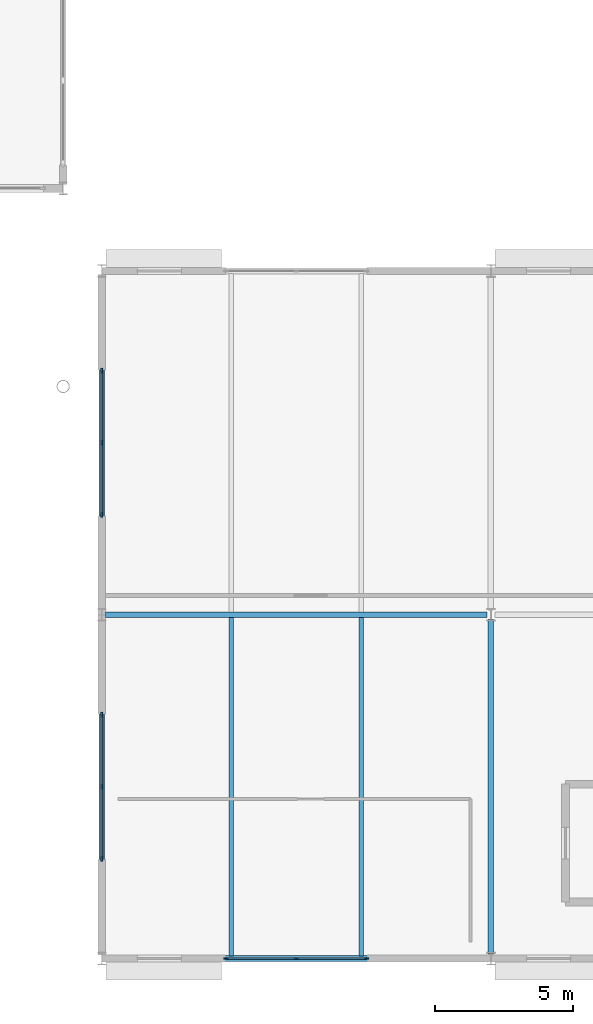
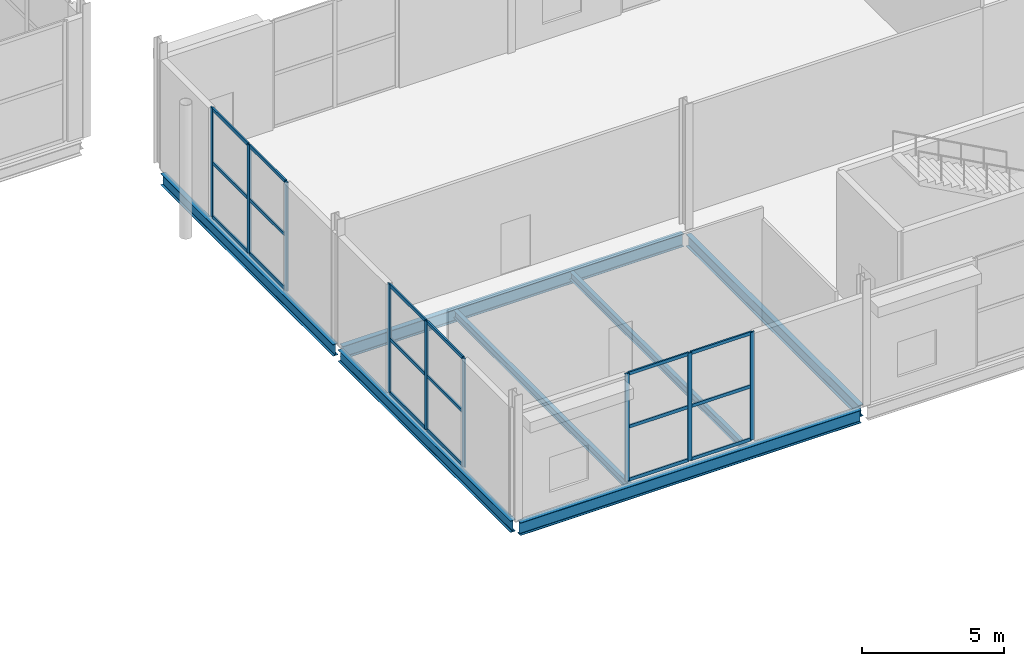
# One storey, part 37 of 84: 27 members, 7 beams, 3 elements without a shape of their own.
"""IFC4 building model written with IfcOpenShell, lengths in metres."""

from ifc_helpers import new_model, si_unit, direction, frame, origin, origin_2d, place, context, subcontext, project, spatial, rectangle, i_section, extrude, material, material_profile, profile_set, type_object, element, aggregate, save


model = new_model("IFC4")

# Units and contexts
model_context = context("Model", 3, precision=1e-05, world=origin(), true_north=direction((0.0, 1.0)))
body_context = subcontext(model_context, "Body", "Model", "MODEL_VIEW")
ifc_project = project(units=[si_unit("LENGTHUNIT", "METRE"), si_unit("AREAUNIT", "SQUARE_METRE"), si_unit("VOLUMEUNIT", "CUBIC_METRE"), si_unit("PLANEANGLEUNIT", "RADIAN"), si_unit("MASSUNIT", "GRAM", prefix="KILO")], contexts=[model_context])

# Site, building, storey
site_placement = place(None, origin())
site = spatial("IfcSite", under=ifc_project, at=site_placement, CompositionType="ELEMENT")
building_placement = place(site_placement, origin())
building = spatial("IfcBuilding", under=site, at=building_placement, Name="Kimbaza Rail Terminus", CompositionType="ELEMENT")
storey_placement = place(building_placement, frame((0.0, 0.0, 5.39990234375)))
storey = spatial("IfcBuildingStorey", under=building, at=storey_placement, Name="L01", CompositionType="ELEMENT", Elevation=5.39990234375)

# Curtain wall, members
ifc_material_1 = material(Name="Anodised aluminium framing and solar low-E glazing", Category="aluminium")
curtain_wall_type = type_object("IfcCurtainWallType", Name="ARC-CW-PV1", PredefinedType="USERDEFINED", material=ifc_material_1)
curtain_wall_1_placement = place(storey_placement, origin())
curtain_wall_1 = element("IfcCurtainWall", 1, at=curtain_wall_1_placement, inside=storey, type_object=curtain_wall_type, Name="Pavilion S Curtain Wall L01.1", ObjectType="STICK CURTAIN WALL", PredefinedType="USERDEFINED")
ifc_material_2 = material(Name="Anodised architectural aluminium", Category="aluminium")
ifc_material_profile_1 = material_profile(ifc_material_2, rectangle(XDim=0.06494140625, YDim=0.175048828125, at=origin_2d()), Name="MULLION 65x175")
ifc_profile_set_1 = profile_set([ifc_material_profile_1], Name="Anodised architectural aluminium")
member_type_1 = type_object("IfcMemberType", Name="ARC-CWM-04", PredefinedType="MULLION", material=ifc_profile_set_1)
member_1_placement = place(storey_placement, frame((161.9326171875, 13.0, 0.0), z_axis=(0.0, 0.0, 1.0), x_axis=(0.0, 1.0, 0.0)))
member_1 = element("IfcMember", 2, at=member_1_placement, type_object=member_type_1, Name="CW-04 mullion 1", PredefinedType="MULLION", context=body_context, shape_type="SweptSolid", body=[
    extrude(rectangle(XDim=0.06494140625, YDim=0.175048828125, at=origin_2d()), origin(), (0.0, 0.0, 1.0), 4.625),
])
member_2_placement = place(storey_placement, frame((164.47509765625, 13.0, 0.0), z_axis=(0.0, 0.0, 1.0), x_axis=(0.0, 1.0, 0.0)))
member_2 = element("IfcMember", 3, at=member_2_placement, type_object=member_type_1, Name="CW-04 mullion 2", PredefinedType="MULLION", context=body_context, shape_type="SweptSolid", body=[
    extrude(rectangle(XDim=0.06494140625, YDim=0.175048828125, at=origin_2d()), origin(), (0.0, 0.0, 1.0), 4.625),
])
member_3_placement = place(storey_placement, frame((167.017578125, 13.0, 0.0), z_axis=(0.0, 0.0, 1.0), x_axis=(0.0, 1.0, 0.0)))
member_3 = element("IfcMember", 4, at=member_3_placement, type_object=member_type_1, Name="CW-04 mullion 3", PredefinedType="MULLION", context=body_context, shape_type="SweptSolid", body=[
    extrude(rectangle(XDim=0.06494140625, YDim=0.175048828125, at=origin_2d()), origin(), (0.0, 0.0, 1.0), 4.625),
])

curtain_wall_2_placement = place(storey_placement, origin())
curtain_wall_2 = element("IfcCurtainWall", 5, at=curtain_wall_2_placement, inside=storey, type_object=curtain_wall_type, Name="Pavilion W Curtain Wall L01.1", ObjectType="STICK CURTAIN WALL", PredefinedType="USERDEFINED")
member_4_placement = place(storey_placement, frame((157.39990234375, 16.632568359375, 0.0), z_axis=(0.0, 0.0, 1.0), x_axis=(-1.0, 0.0, 0.0)))
member_4 = element("IfcMember", 6, at=member_4_placement, type_object=member_type_1, Name="CW-04 mullion 1", PredefinedType="MULLION", context=body_context, shape_type="SweptSolid", body=[
    extrude(rectangle(XDim=0.06494140625, YDim=0.175048828125, at=origin_2d()), origin(), (0.0, 0.0, 1.0), 4.675048828125),
])
member_5_placement = place(storey_placement, frame((157.39990234375, 19.25, 0.0), z_axis=(0.0, 0.0, 1.0), x_axis=(-1.0, 0.0, 0.0)))
member_5 = element("IfcMember", 7, at=member_5_placement, type_object=member_type_1, Name="CW-04 mullion 2", PredefinedType="MULLION", context=body_context, shape_type="SweptSolid", body=[
    extrude(rectangle(XDim=0.06494140625, YDim=0.175048828125, at=origin_2d()), origin(), (0.0, 0.0, 1.0), 4.675048828125),
])
member_6_placement = place(storey_placement, frame((157.39990234375, 21.867431640625, 0.0), z_axis=(0.0, 0.0, 1.0), x_axis=(-1.0, 0.0, 0.0)))
member_6 = element("IfcMember", 8, at=member_6_placement, type_object=member_type_1, Name="CW-04 mullion 3", PredefinedType="MULLION", context=body_context, shape_type="SweptSolid", body=[
    extrude(rectangle(XDim=0.06494140625, YDim=0.175048828125, at=origin_2d()), origin(), (0.0, 0.0, 1.0), 4.675048828125),
])

curtain_wall_3_placement = place(storey_placement, origin())
curtain_wall_3 = element("IfcCurtainWall", 9, at=curtain_wall_3_placement, inside=storey, type_object=curtain_wall_type, Name="Pavilion W Curtain Wall L01.2", ObjectType="STICK CURTAIN WALL", PredefinedType="USERDEFINED")
member_7_placement = place(storey_placement, frame((157.39990234375, 29.132568359375, 0.0), z_axis=(0.0, 0.0, 1.0), x_axis=(-1.0, 0.0, 0.0)))
member_7 = element("IfcMember", 10, at=member_7_placement, type_object=member_type_1, Name="CW-04 mullion 1", PredefinedType="MULLION", context=body_context, shape_type="SweptSolid", body=[
    extrude(rectangle(XDim=0.06494140625, YDim=0.175048828125, at=origin_2d()), origin(), (0.0, 0.0, 1.0), 4.675048828125),
])
member_8_placement = place(storey_placement, frame((157.39990234375, 31.75, 0.0), z_axis=(0.0, 0.0, 1.0), x_axis=(-1.0, 0.0, 0.0)))
member_8 = element("IfcMember", 11, at=member_8_placement, type_object=member_type_1, Name="CW-04 mullion 2", PredefinedType="MULLION", context=body_context, shape_type="SweptSolid", body=[
    extrude(rectangle(XDim=0.06494140625, YDim=0.175048828125, at=origin_2d()), origin(), (0.0, 0.0, 1.0), 4.675048828125),
])
member_9_placement = place(storey_placement, frame((157.39990234375, 34.367431640625, 0.0), z_axis=(0.0, 0.0, 1.0), x_axis=(-1.0, 0.0, 0.0)))
member_9 = element("IfcMember", 12, at=member_9_placement, type_object=member_type_1, Name="CW-04 mullion 3", PredefinedType="MULLION", context=body_context, shape_type="SweptSolid", body=[
    extrude(rectangle(XDim=0.06494140625, YDim=0.175048828125, at=origin_2d()), origin(), (0.0, 0.0, 1.0), 4.675048828125),
])

# Member
ifc_material_3 = material(Name="Anodised architectural aluminium", Category="aluminium")
ifc_material_profile_2 = material_profile(ifc_material_3, rectangle(XDim=0.06494140625, YDim=0.139892578125, at=origin_2d()), Name="TRANSOM 65x140")
ifc_profile_set_2 = profile_set([ifc_material_profile_2], Name="Anodised architectural aluminium")
member_type_2 = type_object("IfcMemberType", Name="ARC-CWT-04", PredefinedType="USERDEFINED", material=ifc_profile_set_2)
member_10_placement = place(storey_placement, frame((161.965087890625, 13.0, 0.03271484375), z_axis=(1.0, 0.0, 0.0), x_axis=(0.0, 1.0, 0.0)))
member_10 = element("IfcMember", 13, at=member_10_placement, type_object=member_type_2, Name="CW-04 transom 1.1", ObjectType="TRANSOM", PredefinedType="USERDEFINED", context=body_context, shape_type="SweptSolid", body=[
    extrude(rectangle(XDim=0.06494140625, YDim=0.139892578125, at=origin_2d()), origin(), (0.0, 0.0, 1.0), 2.477294921875),
])

member_11_placement = place(storey_placement, frame((161.965087890625, 13.0, 2.3125), z_axis=(1.0, 0.0, 0.0), x_axis=(0.0, 1.0, 0.0)))
member_11 = element("IfcMember", 14, at=member_11_placement, type_object=member_type_2, Name="CW-04 transom 1.2", ObjectType="TRANSOM", PredefinedType="USERDEFINED", context=body_context, shape_type="SweptSolid", body=[
    extrude(rectangle(XDim=0.06494140625, YDim=0.139892578125, at=origin_2d()), origin(), (0.0, 0.0, 1.0), 2.477294921875),
])

member_12_placement = place(storey_placement, frame((161.965087890625, 13.0, 4.592529296875), z_axis=(1.0, 0.0, 0.0), x_axis=(0.0, 1.0, 0.0)))
member_12 = element("IfcMember", 15, at=member_12_placement, type_object=member_type_2, Name="CW-04 transom 1.3", ObjectType="TRANSOM", PredefinedType="USERDEFINED", context=body_context, shape_type="SweptSolid", body=[
    extrude(rectangle(XDim=0.06494140625, YDim=0.139892578125, at=origin_2d()), origin(), (0.0, 0.0, 1.0), 2.477294921875),
])

member_13_placement = place(storey_placement, frame((164.507568359375, 13.0, 0.03271484375), z_axis=(1.0, 0.0, 0.0), x_axis=(0.0, 1.0, 0.0)))
member_13 = element("IfcMember", 16, at=member_13_placement, type_object=member_type_2, Name="CW-04 transom 2.1", ObjectType="TRANSOM", PredefinedType="USERDEFINED", context=body_context, shape_type="SweptSolid", body=[
    extrude(rectangle(XDim=0.06494140625, YDim=0.139892578125, at=origin_2d()), origin(), (0.0, 0.0, 1.0), 2.4775390625),
])

member_14_placement = place(storey_placement, frame((164.507568359375, 13.0, 2.3125), z_axis=(1.0, 0.0, 0.0), x_axis=(0.0, 1.0, 0.0)))
member_14 = element("IfcMember", 17, at=member_14_placement, type_object=member_type_2, Name="CW-04 transom 2.2", ObjectType="TRANSOM", PredefinedType="USERDEFINED", context=body_context, shape_type="SweptSolid", body=[
    extrude(rectangle(XDim=0.06494140625, YDim=0.139892578125, at=origin_2d()), origin(), (0.0, 0.0, 1.0), 2.4775390625),
])

member_15_placement = place(storey_placement, frame((164.507568359375, 13.0, 4.592529296875), z_axis=(1.0, 0.0, 0.0), x_axis=(0.0, 1.0, 0.0)))
member_15 = element("IfcMember", 18, at=member_15_placement, type_object=member_type_2, Name="CW-04 transom 2.3", ObjectType="TRANSOM", PredefinedType="USERDEFINED", context=body_context, shape_type="SweptSolid", body=[
    extrude(rectangle(XDim=0.06494140625, YDim=0.139892578125, at=origin_2d()), origin(), (0.0, 0.0, 1.0), 2.4775390625),
])

aggregate(curtain_wall_1, [member_1, member_2, member_3, member_10, member_11, member_12, member_13, member_14, member_15])

member_16_placement = place(storey_placement, frame((157.39990234375, 16.6650390625, 0.03271484375), z_axis=(0.0, 1.0, 0.0), x_axis=(-1.0, 0.0, 0.0)))
member_16 = element("IfcMember", 19, at=member_16_placement, type_object=member_type_2, Name="CW-04 transom 1.1", ObjectType="TRANSOM", PredefinedType="USERDEFINED", context=body_context, shape_type="SweptSolid", body=[
    extrude(rectangle(XDim=0.06494140625, YDim=0.139892578125, at=origin_2d()), origin(), (0.0, 0.0, 1.0), 2.552490234375),
])

member_17_placement = place(storey_placement, frame((157.39990234375, 16.6650390625, 2.337646484375), z_axis=(0.0, 1.0, 0.0), x_axis=(-1.0, 0.0, 0.0)))
member_17 = element("IfcMember", 20, at=member_17_placement, type_object=member_type_2, Name="CW-04 transom 1.2", ObjectType="TRANSOM", PredefinedType="USERDEFINED", context=body_context, shape_type="SweptSolid", body=[
    extrude(rectangle(XDim=0.06494140625, YDim=0.139892578125, at=origin_2d()), origin(), (0.0, 0.0, 1.0), 2.552490234375),
])

member_18_placement = place(storey_placement, frame((157.39990234375, 16.6650390625, 4.642578125), z_axis=(0.0, 1.0, 0.0), x_axis=(-1.0, 0.0, 0.0)))
member_18 = element("IfcMember", 21, at=member_18_placement, type_object=member_type_2, Name="CW-04 transom 1.3", ObjectType="TRANSOM", PredefinedType="USERDEFINED", context=body_context, shape_type="SweptSolid", body=[
    extrude(rectangle(XDim=0.06494140625, YDim=0.139892578125, at=origin_2d()), origin(), (0.0, 0.0, 1.0), 2.552490234375),
])

member_19_placement = place(storey_placement, frame((157.39990234375, 19.282470703125, 0.03271484375), z_axis=(0.0, 1.0, 0.0), x_axis=(-1.0, 0.0, 0.0)))
member_19 = element("IfcMember", 22, at=member_19_placement, type_object=member_type_2, Name="CW-04 transom 2.1", ObjectType="TRANSOM", PredefinedType="USERDEFINED", context=body_context, shape_type="SweptSolid", body=[
    extrude(rectangle(XDim=0.06494140625, YDim=0.139892578125, at=origin_2d()), origin(), (0.0, 0.0, 1.0), 2.552490234375),
])

member_20_placement = place(storey_placement, frame((157.39990234375, 19.282470703125, 2.337646484375), z_axis=(0.0, 1.0, 0.0), x_axis=(-1.0, 0.0, 0.0)))
member_20 = element("IfcMember", 23, at=member_20_placement, type_object=member_type_2, Name="CW-04 transom 2.2", ObjectType="TRANSOM", PredefinedType="USERDEFINED", context=body_context, shape_type="SweptSolid", body=[
    extrude(rectangle(XDim=0.06494140625, YDim=0.139892578125, at=origin_2d()), origin(), (0.0, 0.0, 1.0), 2.552490234375),
])

member_21_placement = place(storey_placement, frame((157.39990234375, 19.282470703125, 4.642578125), z_axis=(0.0, 1.0, 0.0), x_axis=(-1.0, 0.0, 0.0)))
member_21 = element("IfcMember", 24, at=member_21_placement, type_object=member_type_2, Name="CW-04 transom 2.3", ObjectType="TRANSOM", PredefinedType="USERDEFINED", context=body_context, shape_type="SweptSolid", body=[
    extrude(rectangle(XDim=0.06494140625, YDim=0.139892578125, at=origin_2d()), origin(), (0.0, 0.0, 1.0), 2.552490234375),
])

aggregate(curtain_wall_2, [member_4, member_5, member_6, member_16, member_17, member_18, member_19, member_20, member_21])

member_22_placement = place(storey_placement, frame((157.39990234375, 29.1650390625, 0.03271484375), z_axis=(0.0, 1.0, 0.0), x_axis=(-1.0, 0.0, 0.0)))
member_22 = element("IfcMember", 25, at=member_22_placement, type_object=member_type_2, Name="CW-04 transom 1.1", ObjectType="TRANSOM", PredefinedType="USERDEFINED", context=body_context, shape_type="SweptSolid", body=[
    extrude(rectangle(XDim=0.06494140625, YDim=0.139892578125, at=origin_2d()), origin(), (0.0, 0.0, 1.0), 2.552490234375),
])

member_23_placement = place(storey_placement, frame((157.39990234375, 29.1650390625, 2.337646484375), z_axis=(0.0, 1.0, 0.0), x_axis=(-1.0, 0.0, 0.0)))
member_23 = element("IfcMember", 26, at=member_23_placement, type_object=member_type_2, Name="CW-04 transom 1.2", ObjectType="TRANSOM", PredefinedType="USERDEFINED", context=body_context, shape_type="SweptSolid", body=[
    extrude(rectangle(XDim=0.06494140625, YDim=0.139892578125, at=origin_2d()), origin(), (0.0, 0.0, 1.0), 2.552490234375),
])

member_24_placement = place(storey_placement, frame((157.39990234375, 29.1650390625, 4.642578125), z_axis=(0.0, 1.0, 0.0), x_axis=(-1.0, 0.0, 0.0)))
member_24 = element("IfcMember", 27, at=member_24_placement, type_object=member_type_2, Name="CW-04 transom 1.3", ObjectType="TRANSOM", PredefinedType="USERDEFINED", context=body_context, shape_type="SweptSolid", body=[
    extrude(rectangle(XDim=0.06494140625, YDim=0.139892578125, at=origin_2d()), origin(), (0.0, 0.0, 1.0), 2.552490234375),
])

member_25_placement = place(storey_placement, frame((157.39990234375, 31.782470703125, 0.03271484375), z_axis=(0.0, 1.0, 0.0), x_axis=(-1.0, 0.0, 0.0)))
member_25 = element("IfcMember", 28, at=member_25_placement, type_object=member_type_2, Name="CW-04 transom 2.1", ObjectType="TRANSOM", PredefinedType="USERDEFINED", context=body_context, shape_type="SweptSolid", body=[
    extrude(rectangle(XDim=0.06494140625, YDim=0.139892578125, at=origin_2d()), origin(), (0.0, 0.0, 1.0), 2.552490234375),
])

member_26_placement = place(storey_placement, frame((157.39990234375, 31.782470703125, 2.337646484375), z_axis=(0.0, 1.0, 0.0), x_axis=(-1.0, 0.0, 0.0)))
member_26 = element("IfcMember", 29, at=member_26_placement, type_object=member_type_2, Name="CW-04 transom 2.2", ObjectType="TRANSOM", PredefinedType="USERDEFINED", context=body_context, shape_type="SweptSolid", body=[
    extrude(rectangle(XDim=0.06494140625, YDim=0.139892578125, at=origin_2d()), origin(), (0.0, 0.0, 1.0), 2.552490234375),
])

member_27_placement = place(storey_placement, frame((157.39990234375, 31.782470703125, 4.642578125), z_axis=(0.0, 1.0, 0.0), x_axis=(-1.0, 0.0, 0.0)))
member_27 = element("IfcMember", 30, at=member_27_placement, type_object=member_type_2, Name="CW-04 transom 2.3", ObjectType="TRANSOM", PredefinedType="USERDEFINED", context=body_context, shape_type="SweptSolid", body=[
    extrude(rectangle(XDim=0.06494140625, YDim=0.139892578125, at=origin_2d()), origin(), (0.0, 0.0, 1.0), 2.552490234375),
])

aggregate(curtain_wall_3, [member_7, member_8, member_9, member_22, member_23, member_24, member_25, member_26, member_27])

# Beams
ifc_material_4 = material(Name="Steel S355", Category="steel")
ifc_material_profile_3 = material_profile(ifc_material_4, i_section(OverallWidth=0.159912109375, OverallDepth=0.330078125, WebThickness=0.007568359375, FlangeThickness=0.011474609375, FilletRadius=0.01806640625, at=origin_2d()), Name="IPE 330")
ifc_profile_set_3 = profile_set([ifc_material_profile_3], Name="Steel S355")
beam_type_1 = type_object("IfcBeamType", Name="STR-BM-IPE330", PredefinedType="JOIST", material=ifc_profile_set_3)
for number, where, z_axis, x_axis, name in (
    (31, (162.11669921875, 13.10009765625, -0.385009765625), (0.0, 1.0, 0.0), (-1.0, 0.0, 0.0), "Beam JST-V4-L01-0-1-0"),
    (32, (166.833251953125, 13.10009765625, -0.385009765625), (0.0, 1.0, 0.0), (-1.0, 0.0, 0.0), "Beam JST-V4-L01-0-2-0"),
):
    element("IfcBeam", number, at=place(storey_placement, frame(where, z_axis=z_axis, x_axis=x_axis)), inside=storey, type_object=beam_type_1, Name=name, PredefinedType="JOIST", context=body_context, shape_type="SweptSolid", body=[
        extrude(i_section(OverallWidth=0.159912109375, OverallDepth=0.330078125, WebThickness=0.007568359375, FlangeThickness=0.011474609375, FilletRadius=0.01806640625, at=origin_2d()), origin(), (0.0, 0.0, 1.0), 12.2998046875),
    ])
ifc_material_5 = material(Name="Steel S355", Category="steel")
ifc_material_profile_4 = material_profile(ifc_material_5, i_section(OverallWidth=0.199951171875, OverallDepth=0.5, WebThickness=0.01025390625, FlangeThickness=0.01611328125, FilletRadius=0.02099609375, at=origin_2d()), Name="IPE 500")
ifc_profile_set_4 = profile_set([ifc_material_profile_4], Name="Steel S355")
beam_type_2 = type_object("IfcBeamType", Name="STR-BM-IPE500", PredefinedType="BEAM", material=ifc_profile_set_4)
for number, where, z_axis, x_axis, name in (
    (33, (157.39990234375, 13.175048828125, -0.469970703125), (0.0, 1.0, 0.0), (-1.0, 0.0, 0.0), "Beam BM-V4Y-L01-0-0"),
    (34, (157.39990234375, 25.675048828125, -0.469970703125), (0.0, 1.0, 0.0), (-1.0, 0.0, 0.0), "Beam BM-V4Y-L01-0-1"),
    (35, (171.550048828125, 13.175048828125, -0.469970703125), (0.0, 1.0, 0.0), (-1.0, 0.0, 0.0), "Beam BM-V4Y-L01-1-0"),
):
    element("IfcBeam", number, at=place(storey_placement, frame(where, z_axis=z_axis, x_axis=x_axis)), inside=storey, type_object=beam_type_2, Name=name, PredefinedType="BEAM", context=body_context, shape_type="SweptSolid", body=[
        extrude(i_section(OverallWidth=0.199951171875, OverallDepth=0.5, WebThickness=0.01025390625, FlangeThickness=0.01611328125, FilletRadius=0.02099609375, at=origin_2d()), origin(), (0.0, 0.0, 1.0), 12.14990234375),
    ])
ifc_material_6 = material(Name="Steel S355", Category="steel")
ifc_material_profile_5 = material_profile(ifc_material_6, i_section(OverallWidth=0.2099609375, OverallDepth=0.550048828125, WebThickness=0.010986328125, FlangeThickness=0.01708984375, FilletRadius=0.02392578125, at=origin_2d()), Name="IPE 550")
ifc_profile_set_5 = profile_set([ifc_material_profile_5], Name="Steel S355")
beam_type_3 = type_object("IfcBeamType", Name="STR-BM-IPE550", PredefinedType="BEAM", material=ifc_profile_set_5)
for number, where, z_axis, x_axis, name in (
    (36, (157.5458984375, 13.0, -0.494873046875), (1.0, 0.0, 0.0), (0.0, 1.0, 0.0), "Beam BM-V4X-L01-0-0"),
    (37, (157.5458984375, 25.5, -0.494873046875), (1.0, 0.0, 0.0), (0.0, 1.0, 0.0), "Beam BM-V4X-L01-0-1"),
):
    element("IfcBeam", number, at=place(storey_placement, frame(where, z_axis=z_axis, x_axis=x_axis)), inside=storey, type_object=beam_type_3, Name=name, PredefinedType="BEAM", context=body_context, shape_type="SweptSolid", body=[
        extrude(i_section(OverallWidth=0.2099609375, OverallDepth=0.550048828125, WebThickness=0.010986328125, FlangeThickness=0.01708984375, FilletRadius=0.02392578125, at=origin_2d()), origin(), (0.0, 0.0, 1.0), 13.858154296875),
    ])

save(model, "model.ifc")
